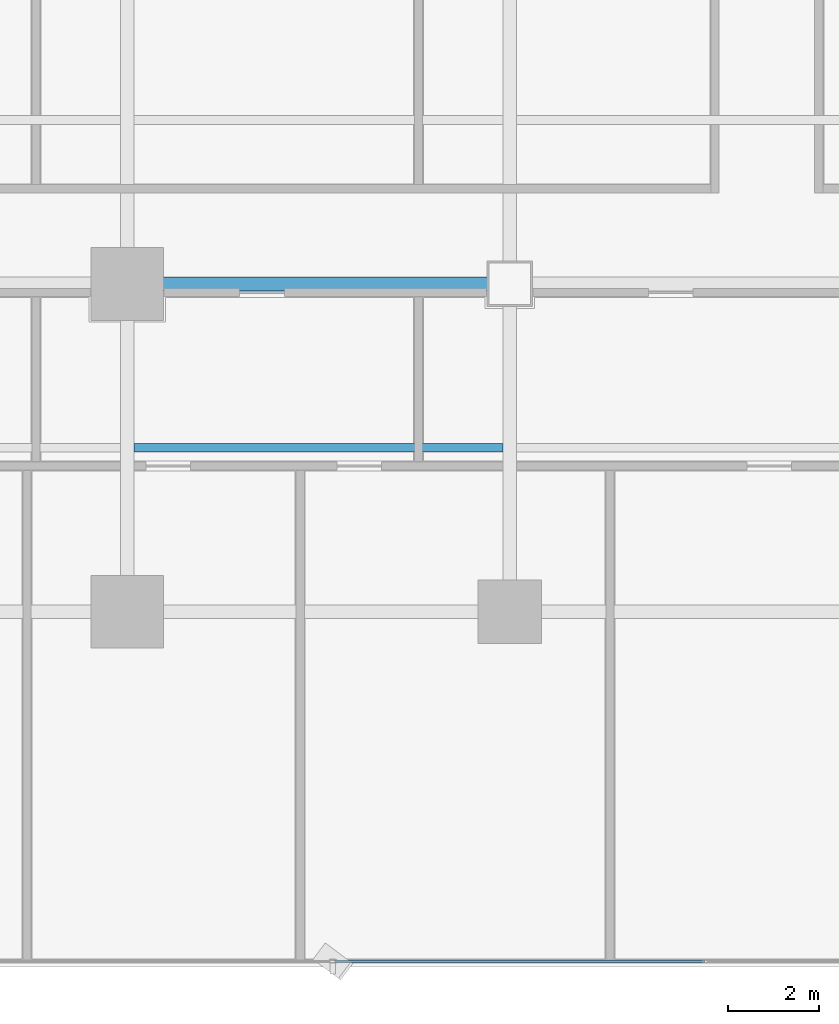
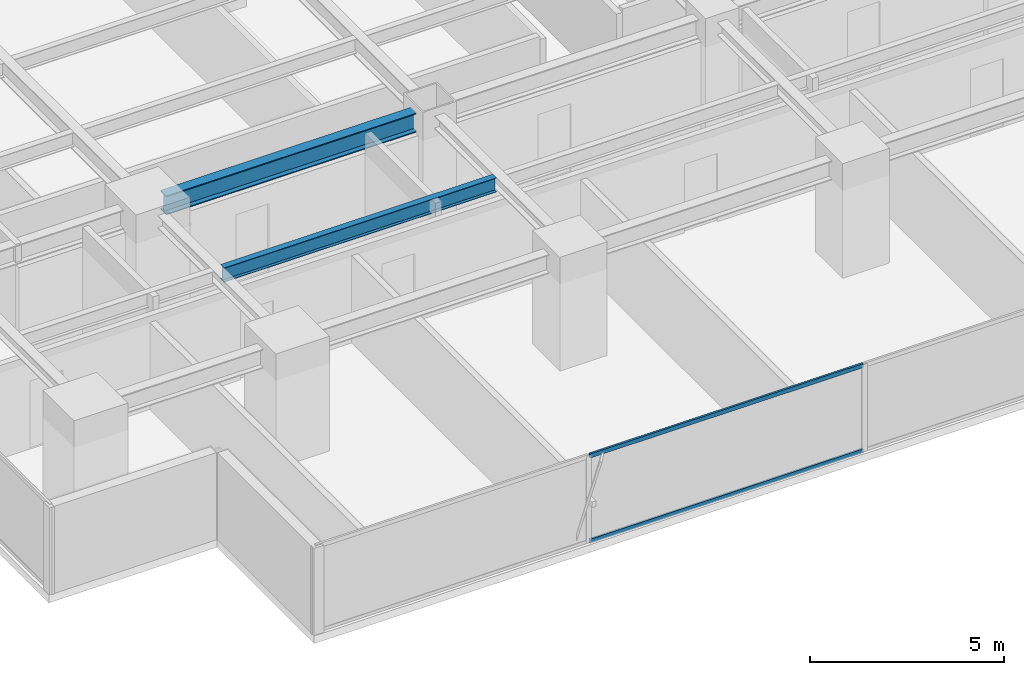
# One storey, part 5 of 36: 2 beams, 2 members, 1 element without a shape of its own.
"""IFC4 building model written with IfcOpenShell, lengths in metres."""

from ifc_helpers import new_model, si_unit, direction, frame, origin, origin_2d, place, context, subcontext, project, spatial, hollow_rectangle, i_section, extrude, source, transform, mapped, material, layer, layer_set, material_profile, profile_set, type_object, element, aggregate, save


model = new_model("IFC4")

# Units and contexts
model_context = context("Model", 3, precision=1e-05, world=origin(), true_north=direction((0.0, 1.0)))
body_context = subcontext(model_context, "Body", "Model", "MODEL_VIEW")
ifc_project = project(units=[si_unit("LENGTHUNIT", "METRE"), si_unit("AREAUNIT", "SQUARE_METRE"), si_unit("VOLUMEUNIT", "CUBIC_METRE"), si_unit("PLANEANGLEUNIT", "RADIAN"), si_unit("MASSUNIT", "GRAM", prefix="KILO")], contexts=[model_context])

# Site, building, storey
site_placement = place(None, origin())
site = spatial("IfcSite", under=ifc_project, at=site_placement, CompositionType="ELEMENT")
building_placement = place(site_placement, origin())
building = spatial("IfcBuilding", under=site, at=building_placement, Name="Sumidabori Civic Tower", CompositionType="ELEMENT")
storey_placement = place(building_placement, frame((0.0, 0.0, 113.60009765625)))
storey = spatial("IfcBuildingStorey", under=building, at=storey_placement, Name="L29", CompositionType="ELEMENT", Elevation=113.60009765625)

# Beams
ifc_material_1 = material(Name="Steel SN490", Category="steel")
ifc_material_profile_1 = material_profile(ifc_material_1, i_section(OverallWidth=0.300048828125, OverallDepth=0.60009765625, WebThickness=0.015380859375, FlangeThickness=0.030029296875, at=origin_2d()), Name="HE 600 B")
ifc_profile_set_1 = profile_set([ifc_material_profile_1], Name="Steel SN490")
beam_type_1 = type_object("IfcBeamType", Name="BM-GIRD-600", PredefinedType="BEAM", material=ifc_profile_set_1)
shared_shape_1 = source(origin(), body_context, "Body", "SweptSolid", [
    extrude(i_section(OverallWidth=0.300048828125, OverallDepth=0.60009765625, WebThickness=0.015380859375, FlangeThickness=0.030029296875, at=origin_2d()), origin(), (0.0, 0.0, 1.0), 7.440185546875),
])
beam_1_placement = place(storey_placement, frame((-16.320068359375, -10.800048828125, 3.059814453125), z_axis=(1.0, 0.0, 0.0), x_axis=(0.0, 1.0, 0.0)))
element("IfcBeam", 1, at=beam_1_placement, inside=storey, type_object=beam_type_1, Name="Primary Girder L29 GX-08", PredefinedType="BEAM", context=body_context, shape_type="MappedRepresentation", body=[
    mapped(shared_shape_1, transform((0.0, 0.0, 0.0), x_axis=(1.0, 0.0, 0.0), y_axis=(0.0, 1.0, 0.0), z_axis=(0.0, 0.0, 1.0), scale=1.0)),
])
ifc_material_profile_2 = material_profile(ifc_material_1, i_section(OverallWidth=0.18994140625, OverallDepth=0.449951171875, WebThickness=0.009521484375, FlangeThickness=0.0146484375, at=origin_2d()), Name="IPE 450")
ifc_profile_set_2 = profile_set([ifc_material_profile_2], Name="Steel SN490")
beam_type_2 = type_object("IfcBeamType", Name="BM-JST-450", PredefinedType="JOIST", material=ifc_profile_set_2)
shared_shape_2 = source(origin(), body_context, "Body", "SweptSolid", [
    extrude(i_section(OverallWidth=0.18994140625, OverallDepth=0.449951171875, WebThickness=0.009521484375, FlangeThickness=0.0146484375, at=origin_2d()), origin(), (0.0, 0.0, 1.0), 8.099853515625),
])
beam_2_placement = place(storey_placement, frame((-16.64990234375, -14.39990234375, 3.135009765625), z_axis=(1.0, 0.0, 0.0), x_axis=(0.0, 1.0, 0.0)))
element("IfcBeam", 2, at=beam_2_placement, inside=storey, type_object=beam_type_2, Name="South Bay Floor Joist L29 JSTS-55", PredefinedType="JOIST", context=body_context, shape_type="MappedRepresentation", body=[
    mapped(shared_shape_2, transform((0.0, 0.0, 0.0), x_axis=(1.0, 0.0, 0.0), y_axis=(0.0, 1.0, 0.0), z_axis=(0.0, 0.0, 1.0), scale=1.0)),
])

# Curtain wall, members
ifc_material_2 = material(Name="Anodised Bronze Aluminium AW-6063-T6", Category="aluminium")
ifc_layer = layer(ifc_material_2, 0.179931640625, Name="Anodised Bronze Aluminium AW-6063-T6")
ifc_layer_set = layer_set([ifc_layer], Name="Anodised Bronze Aluminium AW-6063-T6")
curtain_wall_type = type_object("IfcCurtainWallType", Name="CW-SYS-3", PredefinedType="NOTDEFINED", material=ifc_layer_set)
curtain_wall_placement = place(storey_placement, origin())
curtain_wall = element("IfcCurtainWall", 3, at=curtain_wall_placement, inside=storey, type_object=curtain_wall_type, Name="Curtain Wall CW:L29:R01", PredefinedType="NOTDEFINED")
ifc_material_profile_3 = material_profile(ifc_material_2, hollow_rectangle(XDim=0.06005859375, YDim=0.1298828125, WallThickness=0.0048828125, at=origin_2d()), Name="ALU TRANSOM 130x60")
ifc_profile_set_3 = profile_set([ifc_material_profile_3], Name="Anodised Bronze Aluminium AW-6063-T6")
member_type = type_object("IfcMemberType", Name="CW-TRN-130", PredefinedType="USERDEFINED", material=ifc_profile_set_3)
shared_shape_3 = source(origin(), body_context, "Body", "SweptSolid", [
    extrude(hollow_rectangle(XDim=0.06005859375, YDim=0.1298828125, WallThickness=0.0048828125, at=origin_2d()), origin(), (0.0, 0.0, 1.0), 8.123046875),
])
member_1_placement = place(storey_placement, frame((-12.24951171875, -25.679931640625, 0.02978515625), z_axis=(1.0, 0.0, 0.0), x_axis=(0.0, 1.0, 0.0)))
member_1 = element("IfcMember", 4, at=member_1_placement, type_object=member_type, Name="CW-3 transom 2.1", ObjectType="TRANSOM", PredefinedType="USERDEFINED", context=body_context, shape_type="MappedRepresentation", body=[
    mapped(shared_shape_3, transform((0.0, 0.0, 0.0), x_axis=(1.0, 0.0, 0.0), y_axis=(0.0, 1.0, 0.0), z_axis=(0.0, 0.0, 1.0), scale=1.0)),
])
member_2_placement = place(storey_placement, frame((-12.24951171875, -25.679931640625, 2.7099609375), z_axis=(1.0, 0.0, 0.0), x_axis=(0.0, 1.0, 0.0)))
member_2 = element("IfcMember", 5, at=member_2_placement, type_object=member_type, Name="CW-3 transom 2.2", ObjectType="TRANSOM", PredefinedType="USERDEFINED", context=body_context, shape_type="MappedRepresentation", body=[
    mapped(shared_shape_3, transform((0.0, 0.0, 0.0), x_axis=(1.0, 0.0, 0.0), y_axis=(0.0, 1.0, 0.0), z_axis=(0.0, 0.0, 1.0), scale=1.0)),
])
aggregate(curtain_wall, [member_1, member_2])

save(model, "model.ifc")
